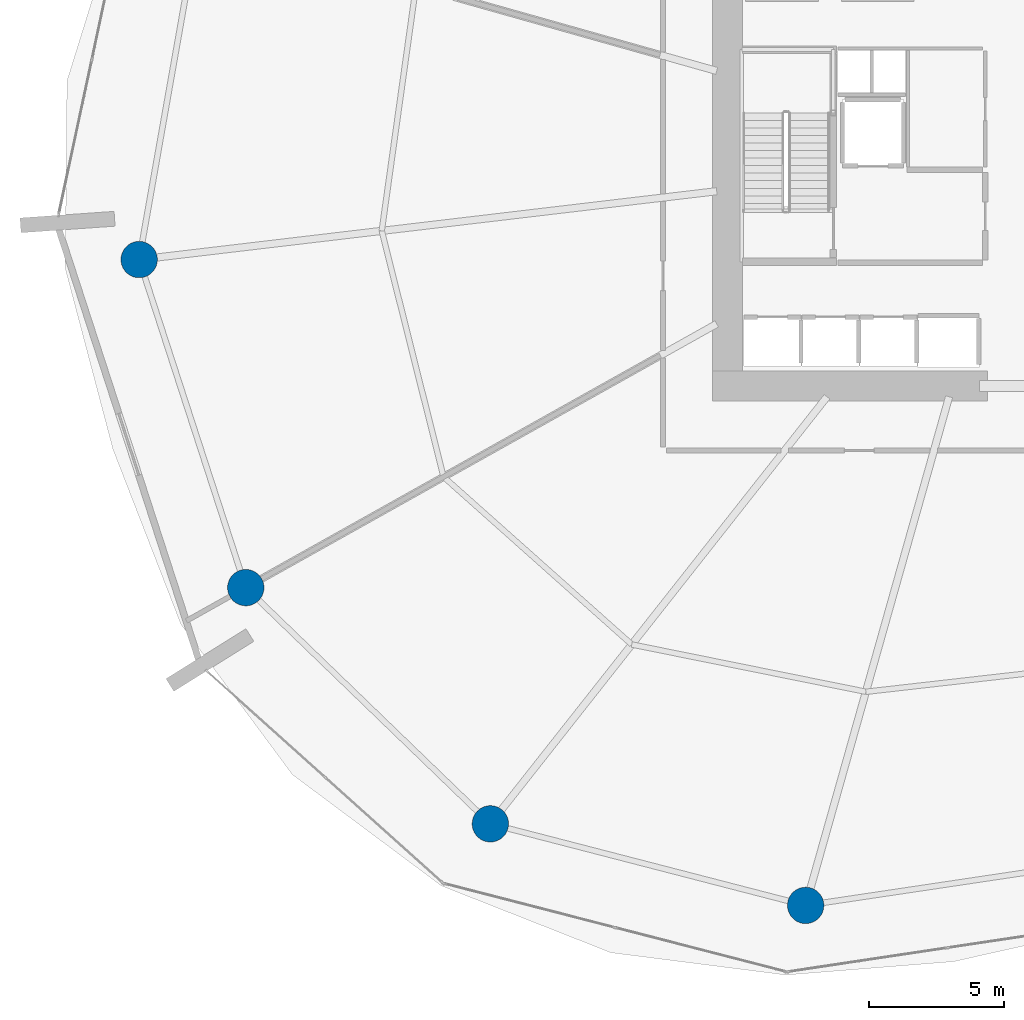
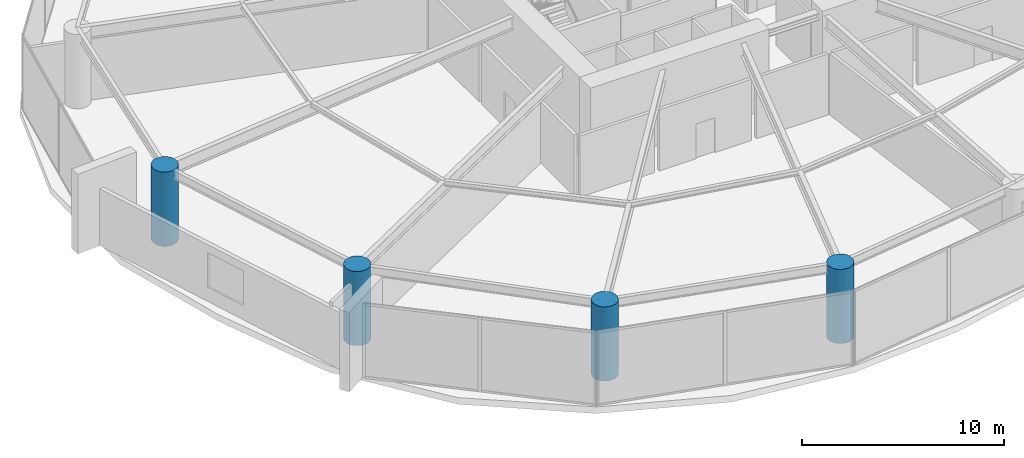
# One storey, part 1 of 22: 4 columns.
"""IFC4 building model written with IfcOpenShell, lengths in metres."""

import ifcopenshell
import ifcopenshell.guid

model = None  # the IFC model being written
_history = None  # IfcOwnerHistory: only IFC2X3 demands one
_inside = {}  # id of a spatial element -> (the spatial element, [elements in it])
_under = {}  # id of a project, library or spatial element -> (it, [spatial elements below it])
_declared = {}  # id of a project -> (the project, [libraries it declares])
_typed = {}  # id of a type object -> (the type object, [elements of that type])
_made_of = {}  # id of a material, layer set ... -> (it, [elements and type objects made of it])


def new_model(schema):
    """Start an empty IFC model of exactly this schema.

    Asked for "IFC4X3", IfcOpenShell would pick the latest addendum, in which some entities
    have other attributes; the version numbers below select the first issue.
    IFC2X3 requires an IfcOwnerHistory on every rooted entity: one is made here for all.
    """
    global model, _history
    if schema == "IFC4X3":
        model = ifcopenshell.file(schema_version=(4, 3, 0, 0))
    else:
        model = ifcopenshell.file(schema=schema)
    _inside.clear()
    _under.clear()
    _declared.clear()
    _typed.clear()
    _made_of.clear()
    _history = None
    if model.schema == "IFC2X3":
        org = make("IfcOrganization", Name="unknown")
        user = make(
            "IfcPersonAndOrganization",
            ThePerson=make("IfcPerson", FamilyName="unknown"),
            TheOrganization=org,
        )
        app = make(
            "IfcApplication",
            ApplicationDeveloper=org,
            Version="unknown",
            ApplicationFullName="unknown",
            ApplicationIdentifier="unknown",
        )
        _history = make(
            "IfcOwnerHistory",
            OwningUser=user,
            OwningApplication=app,
            ChangeAction="ADDED",
            CreationDate=0,
        )
    return model


def make(cls, **values):
    """One entity of the class cls with the attributes given. An attribute that is None is left unset."""
    return model.create_entity(
        cls, **{name: value for name, value in values.items() if value is not None}
    )


def rooted(cls, **values):
    """An entity with a GlobalId (a new one), such as an element, a storey or a relation."""
    return make(cls, GlobalId=ifcopenshell.guid.new(), OwnerHistory=_history, **values)


def si_unit(unit_type, name, prefix=None):
    """IfcSIUnit, for example si_unit("LENGTHUNIT", "METRE", prefix="MILLI")."""
    return make("IfcSIUnit", UnitType=unit_type, Prefix=prefix, Name=name)


def assignment(units):
    """IfcUnitAssignment: the units of a project."""
    return None if units is None else make("IfcUnitAssignment", Units=units)


def point(xyz):
    """IfcCartesianPoint."""
    return None if xyz is None else make("IfcCartesianPoint", Coordinates=xyz)


def direction(xyz):
    """IfcDirection."""
    return None if xyz is None else make("IfcDirection", DirectionRatios=xyz)


def frame(location, z_axis=None, x_axis=None):
    """IfcAxis2Placement3D, a coordinate frame: its origin and axes. An axis left out is left unset."""
    return make(
        "IfcAxis2Placement3D",
        Location=point(location),
        Axis=direction(z_axis),
        RefDirection=direction(x_axis),
    )


def frame_2d(location, x_axis=None):
    """IfcAxis2Placement2D, a coordinate frame in the plane: its origin and x axis."""
    return make(
        "IfcAxis2Placement2D", Location=point(location), RefDirection=direction(x_axis)
    )


def origin():
    """The frame at (0, 0, 0) with its axes left unset."""
    return frame((0.0, 0.0, 0.0))


def origin_2d():
    """The frame at (0, 0) in the plane with its x axis left unset."""
    return frame_2d((0.0, 0.0))


def place(relative_to, where):
    """IfcLocalPlacement: puts the frame where relative to a parent placement (None: the world)."""
    return make(
        "IfcLocalPlacement", PlacementRelTo=relative_to, RelativePlacement=where
    )


def context(
    kind, dimensions, precision=None, world=None, true_north=None, identifier=None
):
    """IfcGeometricRepresentationContext, for example the 3D "Model" context."""
    return make(
        "IfcGeometricRepresentationContext",
        ContextIdentifier=identifier,
        ContextType=kind,
        CoordinateSpaceDimension=dimensions,
        Precision=precision,
        WorldCoordinateSystem=world,
        TrueNorth=true_north,
    )


def subcontext(parent, identifier, kind, view, scale=None):
    """IfcGeometricRepresentationSubContext, for example "Body" below "Model"."""
    return make(
        "IfcGeometricRepresentationSubContext",
        ContextIdentifier=identifier,
        ContextType=kind,
        ParentContext=parent,
        TargetScale=scale,
        TargetView=view,
    )


def project(units=None, contexts=None):
    """IfcProject with its units and contexts."""
    return rooted(
        "IfcProject",
        Name="project",
        RepresentationContexts=contexts,
        UnitsInContext=assignment(units),
    )


def spatial(cls, under=None, at=None, **own):
    """A site, building, storey or space (cls), placed at a placement, below another one or the project."""
    s = rooted(cls, ObjectPlacement=at, **own)
    if under is not None:
        _under.setdefault(under.id(), (under, []))[1].append(s)
    return s


def profile(cls, at=None, kind="AREA", **sizes):
    """A parametric profile (cls). Its sizes go by their IFC names, for example OverallWidth=200.0."""
    return make(cls, ProfileType=kind, Position=at, **sizes)


def circle(**sizes):
    """IfcCircleProfileDef."""
    return profile("IfcCircleProfileDef", **sizes)


def extrude(swept, where, along, depth):
    """IfcExtrudedAreaSolid: the profile swept, set in the frame where, extruded along a direction by depth."""
    return make(
        "IfcExtrudedAreaSolid",
        SweptArea=swept,
        Position=where,
        ExtrudedDirection=direction(along),
        Depth=depth,
    )


def shape(context_of_items, identifier, shape_type, items):
    """IfcShapeRepresentation: the items that make up one representation, for example the "Body"."""
    return make(
        "IfcShapeRepresentation",
        ContextOfItems=context_of_items,
        RepresentationIdentifier=identifier,
        RepresentationType=shape_type,
        Items=items,
    )


def material(Name=None, Category=None):
    """IfcMaterial."""
    return make("IfcMaterial", Name=Name, Category=Category)


def material_profile(
    of_material, cross_section, Name=None, Category=None, Priority=None
):
    """IfcMaterialProfile: a cross section and its material."""
    return make(
        "IfcMaterialProfile",
        Name=Name,
        Material=of_material,
        Profile=cross_section,
        Priority=Priority,
        Category=Category,
    )


def profile_set(profiles, Name=None, composite=None):
    """IfcMaterialProfileSet."""
    return make(
        "IfcMaterialProfileSet",
        Name=Name,
        MaterialProfiles=profiles,
        CompositeProfile=composite,
    )


def made_of(thing, what):
    """Note that an element or type object is made of a material, layer set ...; save() writes the relation."""
    if what is not None:
        _made_of.setdefault(what.id(), (what, []))[1].append(thing)
    return thing


def type_object(cls, material=None, **own):
    """A type object (cls), such as IfcWallType, which elements share."""
    return made_of(rooted(cls, **own), material)


def element(
    cls,
    number,
    at=None,
    inside=None,
    cuts=None,
    type_object=None,
    material=None,
    context=None,
    identifier="Body",
    shape_type=None,
    held_by="IfcProductDefinitionShape",
    body=None,
    shapes=None,
    **own,
):
    """One element of the class cls, such as IfcWall. Its Tag is "e" and its number.

    at: its placement. inside: the storey or other place that contains it. cuts: it is an
    opening in that element (IfcRelVoidsElement). A single representation is given by context,
    identifier, shape_type and body (its items); several are given by shapes. held_by: the class
    of the entity that holds the representations. save() writes the other relations.
    """
    e = rooted(cls, Tag="e%d" % number, ObjectPlacement=at, **own)
    if body is not None:
        shapes = [shape(context, identifier, shape_type, body)]
    if shapes is not None:
        e.Representation = make(held_by, Representations=shapes)
    if inside is not None:
        _inside.setdefault(inside.id(), (inside, []))[1].append(e)
    if cuts is not None:
        rooted(
            "IfcRelVoidsElement", RelatingBuildingElement=cuts, RelatedOpeningElement=e
        )
    if type_object is not None:
        _typed.setdefault(type_object.id(), (type_object, []))[1].append(e)
    return made_of(e, material)


def aggregate(whole, parts):
    """IfcRelAggregates: a whole, such as a stair, and the parts it consists of."""
    return rooted("IfcRelAggregates", RelatingObject=whole, RelatedObjects=parts)


def save(model, path):
    """Write the relations noted so far, then the file.

    IfcRelAggregates (storeys below a building ...), IfcRelContainedInSpatialStructure (elements
    in a storey), IfcRelDefinesByType, IfcRelAssociatesMaterial and IfcRelDeclares: one each for
    every whole, place, type object, material and project.
    """
    for whole, parts in _under.values():
        aggregate(whole, parts)
    for where, things in _inside.values():
        rooted(
            "IfcRelContainedInSpatialStructure",
            RelatedElements=things,
            RelatingStructure=where,
        )
    for kind, things in _typed.values():
        rooted("IfcRelDefinesByType", RelatedObjects=things, RelatingType=kind)
    for what, things in _made_of.values():
        rooted("IfcRelAssociatesMaterial", RelatedObjects=things, RelatingMaterial=what)
    for by, libraries in _declared.values():
        rooted("IfcRelDeclares", RelatingContext=by, RelatedDefinitions=libraries)
    model.write(path)


model = new_model("IFC4")

# Units and contexts
model_context = context("Model", 3, precision=1e-05, world=origin(), true_north=direction((0.0, 1.0)))
body_context = subcontext(model_context, "Body", "Model", "MODEL_VIEW")
ifc_project = project(units=[si_unit("LENGTHUNIT", "METRE"), si_unit("AREAUNIT", "SQUARE_METRE"), si_unit("VOLUMEUNIT", "CUBIC_METRE"), si_unit("PLANEANGLEUNIT", "RADIAN"), si_unit("MASSUNIT", "GRAM", prefix="KILO")], contexts=[model_context])

# Site, building, storey
site_placement = place(None, origin())
site = spatial("IfcSite", under=ifc_project, at=site_placement, CompositionType="ELEMENT")
building_placement = place(site_placement, origin())
building = spatial("IfcBuilding", under=site, at=building_placement, Name="Kazma Halo Residences", CompositionType="ELEMENT")
storey_placement = place(building_placement, frame((0.0, 0.0, 7.199951171875)))
storey = spatial("IfcBuildingStorey", under=building, at=storey_placement, Name="L01", CompositionType="ELEMENT", Elevation=7.199951171875)

# Columns
ifc_material = material(Name="Concrete C80/95", Category="concrete")
ifc_material_profile = material_profile(ifc_material, circle(Radius=0.675048828125, at=origin_2d()), Name="CIRC1350")
ifc_profile_set = profile_set([ifc_material_profile], Name="Concrete C80/95")
column_type = type_object("IfcColumnType", Name="COL-PERIM-1350", PredefinedType="COLUMN", material=ifc_profile_set)
for number, where, z_axis, x_axis, name in (
    (1, (15.410400390625, 38.142822265625, 0.0), (0.0, 0.0, 1.0), (1.0, 0.0, 0.0), "L01 perimeter ring column P08"),
    (2, (19.3671875, 25.96484375, 0.0), (0.0, 0.0, 1.0), (1.0, 0.0, 0.0), "L01 perimeter ring column P09"),
    (3, (28.44677734375, 17.19677734375, 0.0), (0.0, 0.0, 1.0), (1.0, 0.0, 0.0), "L01 perimeter ring column P10"),
    (4, (40.15087890625, 14.168701171875, 0.0), (0.0, 0.0, 1.0), (1.0, 0.0, 0.0), "L01 perimeter ring column P11"),
):
    element("IfcColumn", number, at=place(storey_placement, frame(where, z_axis=z_axis, x_axis=x_axis)), inside=storey, type_object=column_type, Name=name, PredefinedType="COLUMN", context=body_context, shape_type="SweptSolid", body=[
        extrude(circle(Radius=0.675048828125, at=origin_2d()), origin(), (0.0, 0.0, 1.0), 4.47998046875),
    ])

save(model, "model.ifc")
